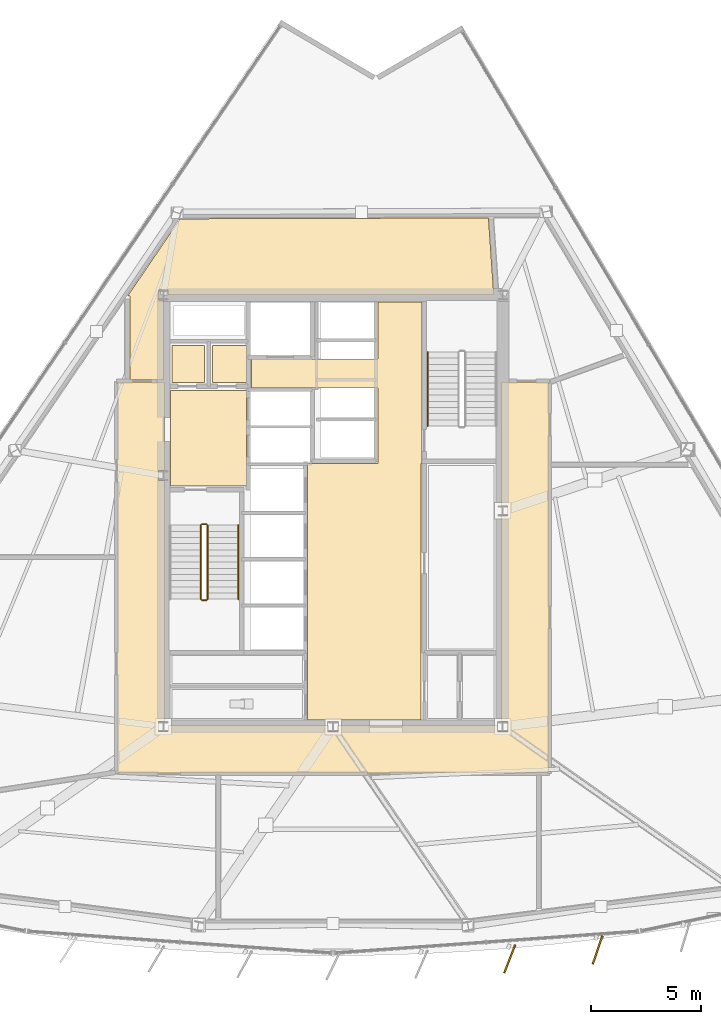
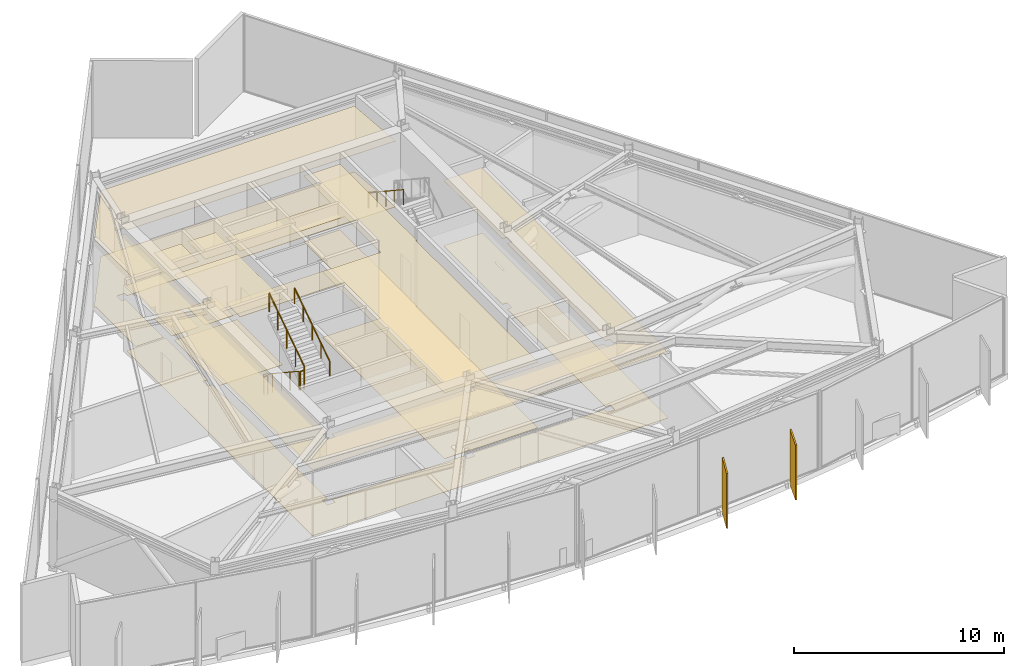
# One storey, part 12 of 14: 12 coverings, 6 railings, 2 shading devices.
"""IFC4 building model written with IfcOpenShell, lengths in metres."""

from ifc_helpers import new_model, si_unit, direction, frame, origin, origin_2d, place, context, subcontext, project, spatial, polyline, rectangle, circle, outline, extrude, material, layer, layer_set, type_object, element, save


model = new_model("IFC4")

# Units and contexts
model_context = context("Model", 3, precision=1e-05, world=origin(), true_north=direction((0.0, 1.0)))
body_context = subcontext(model_context, "Body", "Model", "MODEL_VIEW")
ifc_project = project(units=[si_unit("LENGTHUNIT", "METRE"), si_unit("AREAUNIT", "SQUARE_METRE"), si_unit("VOLUMEUNIT", "CUBIC_METRE"), si_unit("PLANEANGLEUNIT", "RADIAN"), si_unit("MASSUNIT", "GRAM", prefix="KILO")], contexts=[model_context])

# Site, building, storey
site_placement = place(None, origin())
site = spatial("IfcSite", under=ifc_project, at=site_placement, CompositionType="ELEMENT")
building_placement = place(site_placement, origin())
building = spatial("IfcBuilding", under=site, at=building_placement, Name="Savorim Split Tower", CompositionType="ELEMENT")
storey_placement = place(building_placement, frame((0.0, 0.0, 129.300048828125)))
storey = spatial("IfcBuildingStorey", under=building, at=storey_placement, Name="L34", CompositionType="ELEMENT", Elevation=129.300048828125)

# Coverings
ifc_material_1 = material(Name="Mineral Fibre Acoustic Ceiling")
ifc_layer_1 = layer(ifc_material_1, 0.02490234375)
ifc_layer_set_1 = layer_set([ifc_layer_1], Name="COV-CEIL-25")
covering_type_1 = type_object("IfcCoveringType", Name="COV-CEIL-25", PredefinedType="CEILING", material=ifc_layer_set_1)
covering_1_placement = place(storey_placement, frame((0.0, 0.0, 3.820068359375)))
element("IfcCovering", 1, at=covering_1_placement, inside=storey, type_object=covering_type_1, Name="L34 Firefighting Lift Lobby Acoustic Ceiling", PredefinedType="CEILING", context=body_context, shape_type="SweptSolid", body=[
    extrude(outline(polyline([(-7.3798828125, 5.8701171875), (-7.3798828125, 1.530029296875), (-3.929931640625, 1.530029296875), (-3.929931640625, 5.8701171875), (-7.3798828125, 5.8701171875)])), origin(), (0.0, 0.0, 1.0), 0.02490234375),
])
covering_2_placement = place(storey_placement, frame((0.0, 0.0, 3.820068359375)))
element("IfcCovering", 2, at=covering_2_placement, inside=storey, type_object=covering_type_1, Name="L34 Electrical Riser Acoustic Ceiling", PredefinedType="CEILING", context=body_context, shape_type="SweptSolid", body=[
    extrude(outline(polyline([(-7.320068359375, 7.919921875), (-7.320068359375, 6.22998046875), (-5.830078125, 6.22998046875), (-5.830078125, 7.919921875), (-7.320068359375, 7.919921875)])), origin(), (0.0, 0.0, 1.0), 0.02490234375),
])
covering_3_placement = place(storey_placement, frame((0.0, 0.0, 3.820068359375)))
element("IfcCovering", 3, at=covering_3_placement, inside=storey, type_object=covering_type_1, Name="L34 Telecom Riser Acoustic Ceiling", PredefinedType="CEILING", context=body_context, shape_type="SweptSolid", body=[
    extrude(outline(polyline([(-5.469970703125, 7.919921875), (-5.469970703125, 6.22998046875), (-3.929931640625, 6.22998046875), (-3.929931640625, 7.919921875), (-5.469970703125, 7.919921875)])), origin(), (0.0, 0.0, 1.0), 0.02490234375),
])
covering_4_placement = place(storey_placement, frame((0.0, 0.0, 3.820068359375)))
element("IfcCovering", 4, at=covering_4_placement, inside=storey, type_object=covering_type_1, Name="L34 Lift Lobby Acoustic Ceiling", PredefinedType="CEILING", context=body_context, shape_type="SweptSolid", body=[
    extrude(outline(polyline([(2.050048828125, 2.550048828125), (-1.14990234375, 2.550048828125), (-1.14990234375, -9.10009765625), (4.0, -9.10009765625), (4.0, 2.550048828125), (4.050048828125, 2.550048828125), (4.050048828125, 5.97998046875), (4.050048828125, 7.300048828125), (4.050048828125, 9.8798828125), (2.050048828125, 9.8798828125), (2.050048828125, 7.300048828125), (-3.699951171875, 7.300048828125), (-3.699951171875, 5.97998046875), (2.050048828125, 5.97998046875), (2.050048828125, 2.550048828125)])), origin(), (0.0, 0.0, 1.0), 0.02490234375),
])
covering_5_placement = place(storey_placement, frame((0.0, 0.0, 3.820068359375)))
element("IfcCovering", 5, at=covering_5_placement, inside=storey, type_object=covering_type_1, Name="L34 Plant Corridor Acoustic Ceiling", PredefinedType="CEILING", context=body_context, shape_type="SweptSolid", body=[
    extrude(outline(polyline([(7.91455078125, 0.177490234375), (7.64990234375, 0.177490234375), (7.64990234375, -9.177490234375), (7.91455078125, -9.177490234375), (7.91455078125, -9.62255859375), (7.485595703125, -9.62255859375), (7.485595703125, -9.35009765625), (0.214599609375, -9.35009765625), (0.214599609375, -9.62255859375), (-0.214599609375, -9.62255859375), (-0.214599609375, -9.35009765625), (-7.485595703125, -9.35009765625), (-7.485595703125, -9.62255859375), (-7.91455078125, -9.62255859375), (-7.91455078125, -9.177490234375), (-7.64990234375, -9.177490234375), (-7.64990234375, 1.777587890625), (-7.91455078125, 1.777587890625), (-7.91455078125, 2.222412109375), (-7.64990234375, 2.222412109375), (-7.64990234375, 6.199951171875), (-7.650146484375, 6.204833984375), (-7.65087890625, 6.209716796875), (-7.652099609375, 6.214599609375), (-7.65380859375, 6.218994140625), (-7.656005859375, 6.2236328125), (-7.658447265625, 6.227783203125), (-7.661376953125, 6.231689453125), (-7.66455078125, 6.2353515625), (-7.668212890625, 6.23876953125), (-7.672119140625, 6.24169921875), (-7.676513671875, 6.244140625), (-7.680908203125, 6.24609375), (-7.685546875, 6.247802734375), (-7.690185546875, 6.2490234375), (-7.695068359375, 6.249755859375), (-7.699951171875, 6.25), (-9.75, 6.25), (-9.7548828125, 6.249755859375), (-9.759765625, 6.2490234375), (-9.764404296875, 6.247802734375), (-9.76904296875, 6.24609375), (-9.773681640625, 6.244140625), (-9.77783203125, 6.24169921875), (-9.78173828125, 6.23876953125), (-9.785400390625, 6.2353515625), (-9.788818359375, 6.231689453125), (-9.79150390625, 6.227783203125), (-9.794189453125, 6.2236328125), (-9.796142578125, 6.218994140625), (-9.7978515625, 6.214599609375), (-9.799072265625, 6.209716796875), (-9.7998046875, 6.204833984375), (-9.800048828125, 6.199951171875), (-9.800048828125, -11.449951171875), (-9.7998046875, -11.454833984375), (-9.799072265625, -11.459716796875), (-9.7978515625, -11.464599609375), (-9.796142578125, -11.468994140625), (-9.794189453125, -11.4736328125), (-9.79150390625, -11.477783203125), (-9.788818359375, -11.481689453125), (-9.785400390625, -11.4853515625), (-9.78173828125, -11.48876953125), (-9.77783203125, -11.49169921875), (-9.773681640625, -11.494140625), (-9.76904296875, -11.49609375), (-9.764404296875, -11.497802734375), (-9.759765625, -11.4990234375), (-9.7548828125, -11.499755859375), (-9.75, -11.5), (9.75, -11.5), (9.7548828125, -11.499755859375), (9.759765625, -11.4990234375), (9.764404296875, -11.497802734375), (9.76904296875, -11.49609375), (9.773681640625, -11.494140625), (9.77783203125, -11.49169921875), (9.78173828125, -11.48876953125), (9.785400390625, -11.4853515625), (9.788818359375, -11.481689453125), (9.79150390625, -11.477783203125), (9.794189453125, -11.4736328125), (9.796142578125, -11.468994140625), (9.7978515625, -11.464599609375), (9.799072265625, -11.459716796875), (9.7998046875, -11.454833984375), (9.800048828125, -11.449951171875), (9.800048828125, 6.199951171875), (9.7998046875, 6.204833984375), (9.799072265625, 6.209716796875), (9.7978515625, 6.214599609375), (9.796142578125, 6.218994140625), (9.794189453125, 6.2236328125), (9.79150390625, 6.227783203125), (9.788818359375, 6.231689453125), (9.785400390625, 6.2353515625), (9.78173828125, 6.23876953125), (9.77783203125, 6.24169921875), (9.773681640625, 6.244140625), (9.76904296875, 6.24609375), (9.764404296875, 6.247802734375), (9.759765625, 6.2490234375), (9.7548828125, 6.249755859375), (9.75, 6.25), (7.699951171875, 6.25), (7.695068359375, 6.249755859375), (7.690185546875, 6.2490234375), (7.685546875, 6.247802734375), (7.680908203125, 6.24609375), (7.676513671875, 6.244140625), (7.672119140625, 6.24169921875), (7.668212890625, 6.23876953125), (7.66455078125, 6.2353515625), (7.661376953125, 6.231689453125), (7.658447265625, 6.227783203125), (7.656005859375, 6.2236328125), (7.65380859375, 6.218994140625), (7.652099609375, 6.214599609375), (7.65087890625, 6.209716796875), (7.650146484375, 6.204833984375), (7.64990234375, 6.199951171875), (7.64990234375, 0.62255859375), (7.91455078125, 0.62255859375), (7.91455078125, 0.177490234375)])), origin(), (0.0, 0.0, 1.0), 0.02490234375),
])
covering_6_placement = place(storey_placement, frame((0.0, 0.0, 3.820068359375)))
element("IfcCovering", 6, at=covering_6_placement, inside=storey, type_object=covering_type_1, Name="L34 Chiller Plant Room 1 Acoustic Ceiling", PredefinedType="CEILING", context=body_context, shape_type="SweptSolid", body=[
    extrude(outline(polyline([(7.061279296875, 13.643798828125), (7.05712890625, 13.701904296875), (-6.94091796875, 13.6611328125), (-9.330078125, 10.148681640625), (-9.231201171875, 10.148681640625), (-9.231201171875, 6.340087890625), (-7.699951171875, 6.340087890625), (-7.699951171875, 9.9775390625), (-7.91455078125, 9.9775390625), (-7.91455078125, 10.422607421875), (-7.485595703125, 10.422607421875), (-7.485595703125, 10.199951171875), (7.29931640625, 10.199951171875), (7.061279296875, 13.643798828125)])), origin(), (0.0, 0.0, 1.0), 0.02490234375),
])
ifc_material_2 = material(Name="Porcelain Stoneware Flooring", Category="masonry")
ifc_layer_2 = layer(ifc_material_2, 0.02001953125)
ifc_layer_set_2 = layer_set([ifc_layer_2], Name="COV-FLOR-20")
covering_type_2 = type_object("IfcCoveringType", Name="COV-FLOR-20", PredefinedType="FLOORING", material=ifc_layer_set_2)
covering_7_placement = place(storey_placement, origin())
element("IfcCovering", 7, at=covering_7_placement, inside=storey, type_object=covering_type_2, Name="L34 Firefighting Lift Lobby Porcelain Flooring", PredefinedType="FLOORING", context=body_context, shape_type="SweptSolid", body=[
    extrude(outline(polyline([(-7.3798828125, 5.8701171875), (-7.3798828125, 1.530029296875), (-3.929931640625, 1.530029296875), (-3.929931640625, 5.8701171875), (-7.3798828125, 5.8701171875)])), origin(), (0.0, 0.0, 1.0), 0.02001953125),
])
covering_8_placement = place(storey_placement, origin())
element("IfcCovering", 8, at=covering_8_placement, inside=storey, type_object=covering_type_2, Name="L34 Electrical Riser Porcelain Flooring", PredefinedType="FLOORING", context=body_context, shape_type="SweptSolid", body=[
    extrude(outline(polyline([(-7.320068359375, 7.919921875), (-7.320068359375, 6.22998046875), (-5.830078125, 6.22998046875), (-5.830078125, 7.919921875), (-7.320068359375, 7.919921875)])), origin(), (0.0, 0.0, 1.0), 0.02001953125),
])
covering_9_placement = place(storey_placement, origin())
element("IfcCovering", 9, at=covering_9_placement, inside=storey, type_object=covering_type_2, Name="L34 Telecom Riser Porcelain Flooring", PredefinedType="FLOORING", context=body_context, shape_type="SweptSolid", body=[
    extrude(outline(polyline([(-5.469970703125, 7.919921875), (-5.469970703125, 6.22998046875), (-3.929931640625, 6.22998046875), (-3.929931640625, 7.919921875), (-5.469970703125, 7.919921875)])), origin(), (0.0, 0.0, 1.0), 0.02001953125),
])
covering_10_placement = place(storey_placement, origin())
element("IfcCovering", 10, at=covering_10_placement, inside=storey, type_object=covering_type_2, Name="L34 Lift Lobby Porcelain Flooring", PredefinedType="FLOORING", context=body_context, shape_type="SweptSolid", body=[
    extrude(outline(polyline([(2.050048828125, 2.550048828125), (-1.14990234375, 2.550048828125), (-1.14990234375, -9.10009765625), (4.0, -9.10009765625), (4.0, 2.550048828125), (4.050048828125, 2.550048828125), (4.050048828125, 5.97998046875), (4.050048828125, 7.300048828125), (4.050048828125, 9.8798828125), (2.050048828125, 9.8798828125), (2.050048828125, 7.300048828125), (-3.699951171875, 7.300048828125), (-3.699951171875, 5.97998046875), (2.050048828125, 5.97998046875), (2.050048828125, 2.550048828125)])), origin(), (0.0, 0.0, 1.0), 0.02001953125),
])
covering_11_placement = place(storey_placement, origin())
element("IfcCovering", 11, at=covering_11_placement, inside=storey, type_object=covering_type_2, Name="L34 Plant Corridor Porcelain Flooring", PredefinedType="FLOORING", context=body_context, shape_type="SweptSolid", body=[
    extrude(outline(polyline([(7.91455078125, 0.177490234375), (7.64990234375, 0.177490234375), (7.64990234375, -9.177490234375), (7.91455078125, -9.177490234375), (7.91455078125, -9.62255859375), (7.485595703125, -9.62255859375), (7.485595703125, -9.35009765625), (0.214599609375, -9.35009765625), (0.214599609375, -9.62255859375), (-0.214599609375, -9.62255859375), (-0.214599609375, -9.35009765625), (-7.485595703125, -9.35009765625), (-7.485595703125, -9.62255859375), (-7.91455078125, -9.62255859375), (-7.91455078125, -9.177490234375), (-7.64990234375, -9.177490234375), (-7.64990234375, 1.777587890625), (-7.91455078125, 1.777587890625), (-7.91455078125, 2.222412109375), (-7.64990234375, 2.222412109375), (-7.64990234375, 6.199951171875), (-7.650146484375, 6.204833984375), (-7.65087890625, 6.209716796875), (-7.652099609375, 6.214599609375), (-7.65380859375, 6.218994140625), (-7.656005859375, 6.2236328125), (-7.658447265625, 6.227783203125), (-7.661376953125, 6.231689453125), (-7.66455078125, 6.2353515625), (-7.668212890625, 6.23876953125), (-7.672119140625, 6.24169921875), (-7.676513671875, 6.244140625), (-7.680908203125, 6.24609375), (-7.685546875, 6.247802734375), (-7.690185546875, 6.2490234375), (-7.695068359375, 6.249755859375), (-7.699951171875, 6.25), (-9.75, 6.25), (-9.7548828125, 6.249755859375), (-9.759765625, 6.2490234375), (-9.764404296875, 6.247802734375), (-9.76904296875, 6.24609375), (-9.773681640625, 6.244140625), (-9.77783203125, 6.24169921875), (-9.78173828125, 6.23876953125), (-9.785400390625, 6.2353515625), (-9.788818359375, 6.231689453125), (-9.79150390625, 6.227783203125), (-9.794189453125, 6.2236328125), (-9.796142578125, 6.218994140625), (-9.7978515625, 6.214599609375), (-9.799072265625, 6.209716796875), (-9.7998046875, 6.204833984375), (-9.800048828125, 6.199951171875), (-9.800048828125, -11.449951171875), (-9.7998046875, -11.454833984375), (-9.799072265625, -11.459716796875), (-9.7978515625, -11.464599609375), (-9.796142578125, -11.468994140625), (-9.794189453125, -11.4736328125), (-9.79150390625, -11.477783203125), (-9.788818359375, -11.481689453125), (-9.785400390625, -11.4853515625), (-9.78173828125, -11.48876953125), (-9.77783203125, -11.49169921875), (-9.773681640625, -11.494140625), (-9.76904296875, -11.49609375), (-9.764404296875, -11.497802734375), (-9.759765625, -11.4990234375), (-9.7548828125, -11.499755859375), (-9.75, -11.5), (9.75, -11.5), (9.7548828125, -11.499755859375), (9.759765625, -11.4990234375), (9.764404296875, -11.497802734375), (9.76904296875, -11.49609375), (9.773681640625, -11.494140625), (9.77783203125, -11.49169921875), (9.78173828125, -11.48876953125), (9.785400390625, -11.4853515625), (9.788818359375, -11.481689453125), (9.79150390625, -11.477783203125), (9.794189453125, -11.4736328125), (9.796142578125, -11.468994140625), (9.7978515625, -11.464599609375), (9.799072265625, -11.459716796875), (9.7998046875, -11.454833984375), (9.800048828125, -11.449951171875), (9.800048828125, 6.199951171875), (9.7998046875, 6.204833984375), (9.799072265625, 6.209716796875), (9.7978515625, 6.214599609375), (9.796142578125, 6.218994140625), (9.794189453125, 6.2236328125), (9.79150390625, 6.227783203125), (9.788818359375, 6.231689453125), (9.785400390625, 6.2353515625), (9.78173828125, 6.23876953125), (9.77783203125, 6.24169921875), (9.773681640625, 6.244140625), (9.76904296875, 6.24609375), (9.764404296875, 6.247802734375), (9.759765625, 6.2490234375), (9.7548828125, 6.249755859375), (9.75, 6.25), (7.699951171875, 6.25), (7.695068359375, 6.249755859375), (7.690185546875, 6.2490234375), (7.685546875, 6.247802734375), (7.680908203125, 6.24609375), (7.676513671875, 6.244140625), (7.672119140625, 6.24169921875), (7.668212890625, 6.23876953125), (7.66455078125, 6.2353515625), (7.661376953125, 6.231689453125), (7.658447265625, 6.227783203125), (7.656005859375, 6.2236328125), (7.65380859375, 6.218994140625), (7.652099609375, 6.214599609375), (7.65087890625, 6.209716796875), (7.650146484375, 6.204833984375), (7.64990234375, 6.199951171875), (7.64990234375, 0.62255859375), (7.91455078125, 0.62255859375), (7.91455078125, 0.177490234375)])), origin(), (0.0, 0.0, 1.0), 0.02001953125),
])
covering_12_placement = place(storey_placement, origin())
element("IfcCovering", 12, at=covering_12_placement, inside=storey, type_object=covering_type_2, Name="L34 Chiller Plant Room 1 Porcelain Flooring", PredefinedType="FLOORING", context=body_context, shape_type="SweptSolid", body=[
    extrude(outline(polyline([(7.061279296875, 13.643798828125), (7.05712890625, 13.701904296875), (-6.94091796875, 13.6611328125), (-9.330078125, 10.148681640625), (-9.231201171875, 10.148681640625), (-9.231201171875, 6.340087890625), (-7.699951171875, 6.340087890625), (-7.699951171875, 9.9775390625), (-7.91455078125, 9.9775390625), (-7.91455078125, 10.422607421875), (-7.485595703125, 10.422607421875), (-7.485595703125, 10.199951171875), (7.29931640625, 10.199951171875), (7.061279296875, 13.643798828125)])), origin(), (0.0, 0.0, 1.0), 0.02001953125),
])

# Railings
ifc_material_3 = material(Name="Galvanised Painted Steel Balustrade", Category="steel")
railing_type_1 = type_object("IfcRailingType", Name="RLG-HR-900", PredefinedType="HANDRAIL", material=ifc_material_3)
railing_1_placement = place(storey_placement, frame((-4.300048828125, -3.610107421875, 2.58447265625)))
element("IfcRailing", 13, at=railing_1_placement, inside=storey, type_object=railing_type_1, Name="L34 ST-1 stair handrail 2", PredefinedType="HANDRAIL", context=body_context, shape_type="SweptSolid", body=[
    extrude(circle(Radius=0.02392578125, at=origin_2d()), frame((0.0, 0.0, 0.8759765625), z_axis=(0.0, 0.834848600103, 0.550479622607), x_axis=(-1.0, 0.0, 0.0)), (0.0, 0.0, 1.0), 4.02490234375),
    extrude(circle(Radius=0.02099609375, at=origin_2d()), origin(), (0.0, 0.0, 1.0), 0.851806640625),
    extrude(circle(Radius=0.02099609375, at=origin_2d()), frame((0.0, 0.840087890625, 0.553955078125)), (0.0, 0.0, 1.0), 0.851806640625),
    extrude(circle(Radius=0.02099609375, at=origin_2d()), frame((0.0, 1.68017578125, 1.10791015625)), (0.0, 0.0, 1.0), 0.851806640625),
    extrude(circle(Radius=0.02099609375, at=origin_2d()), frame((0.0, 2.52001953125, 1.66162109375)), (0.0, 0.0, 1.0), 0.851806640625),
    extrude(circle(Radius=0.02099609375, at=origin_2d()), frame((0.0, 3.360107421875, 2.215576171875)), (0.0, 0.0, 1.0), 0.851806640625),
])
railing_2_placement = place(storey_placement, frame((4.300048828125, 7.610107421875, 2.58447265625)))
element("IfcRailing", 14, at=railing_2_placement, inside=storey, type_object=railing_type_1, Name="L34 ST-2 stair handrail 2", PredefinedType="HANDRAIL", context=body_context, shape_type="SweptSolid", body=[
    extrude(circle(Radius=0.02392578125, at=origin_2d()), frame((0.0, 0.0, 0.8759765625), z_axis=(0.0, -0.834848600103, 0.550479622607), x_axis=(1.0, 0.0, 0.0)), (0.0, 0.0, 1.0), 4.02490234375),
    extrude(circle(Radius=0.02099609375, at=origin_2d()), origin(), (0.0, 0.0, 1.0), 0.851806640625),
    extrude(circle(Radius=0.02099609375, at=origin_2d()), frame((0.0, -0.840087890625, 0.553955078125)), (0.0, 0.0, 1.0), 0.851806640625),
    extrude(circle(Radius=0.02099609375, at=origin_2d()), frame((0.0, -1.68017578125, 1.10791015625)), (0.0, 0.0, 1.0), 0.851806640625),
    extrude(circle(Radius=0.02099609375, at=origin_2d()), frame((0.0, -2.52001953125, 1.66162109375)), (0.0, 0.0, 1.0), 0.851806640625),
    extrude(circle(Radius=0.02099609375, at=origin_2d()), frame((0.0, -3.360107421875, 2.215576171875)), (0.0, 0.0, 1.0), 0.851806640625),
])
railing_type_2 = type_object("IfcRailingType", Name="RLG-STG-1100", PredefinedType="BALUSTRADE", material=ifc_material_3)
railing_3_placement = place(storey_placement, frame((-6.0, -0.25, 0.1845703125)))
element("IfcRailing", 15, at=railing_3_placement, inside=storey, type_object=railing_type_2, Name="L34 ST-1 stair guard 1", PredefinedType="BALUSTRADE", context=body_context, shape_type="SweptSolid", body=[
    extrude(circle(Radius=0.02392578125, at=origin_2d()), frame((0.0, 0.0, 1.076171875), z_axis=(0.0, -0.834876476806, 0.550437342915), x_axis=(1.0, 0.0, 0.0)), (0.0, 0.0, 1.0), 4.024658203125),
    extrude(circle(Radius=0.02099609375, at=origin_2d()), origin(), (0.0, 0.0, 1.0), 1.052001953125),
    extrude(circle(Radius=0.02099609375, at=origin_2d()), frame((0.0, -0.840087890625, 0.5537109375)), (0.0, 0.0, 1.0), 1.052001953125),
    extrude(circle(Radius=0.02099609375, at=origin_2d()), frame((0.0, -1.68017578125, 1.107666015625)), (0.0, 0.0, 1.0), 1.052001953125),
    extrude(circle(Radius=0.02099609375, at=origin_2d()), frame((0.0, -2.52001953125, 1.66162109375)), (0.0, 0.0, 1.0), 1.052001953125),
    extrude(circle(Radius=0.02099609375, at=origin_2d()), frame((0.0, -3.360107421875, 2.21533203125)), (0.0, 0.0, 1.0), 1.052001953125),
])
railing_4_placement = place(storey_placement, frame((-5.949951171875, -3.659912109375, 2.39990234375)))
element("IfcRailing", 16, at=railing_4_placement, inside=storey, type_object=railing_type_2, Name="L34 ST-1 stair guard 2", PredefinedType="BALUSTRADE", context=body_context, shape_type="SweptSolid", body=[
    extrude(circle(Radius=0.02392578125, at=origin_2d()), frame((0.0, 0.0, 1.076171875), z_axis=(1.0, 0.0, 0.0), x_axis=(0.0, 1.0, 0.0)), (0.0, 0.0, 1.0), 0.199951171875),
    extrude(circle(Radius=0.02099609375, at=origin_2d()), origin(), (0.0, 0.0, 1.0), 1.052001953125),
    extrude(circle(Radius=0.02099609375, at=origin_2d()), frame((0.199951171875, 0.0, 0.0)), (0.0, 0.0, 1.0), 1.052001953125),
])
railing_5_placement = place(storey_placement, frame((-5.699951171875, -3.610107421875, 2.58447265625)))
element("IfcRailing", 17, at=railing_5_placement, inside=storey, type_object=railing_type_2, Name="L34 ST-1 stair guard 3", PredefinedType="BALUSTRADE", context=body_context, shape_type="SweptSolid", body=[
    extrude(circle(Radius=0.02392578125, at=origin_2d()), frame((0.0, 0.0, 1.076171875), z_axis=(0.0, 0.834848600103, 0.550479622607), x_axis=(-1.0, 0.0, 0.0)), (0.0, 0.0, 1.0), 4.02490234375),
    extrude(circle(Radius=0.02099609375, at=origin_2d()), origin(), (0.0, 0.0, 1.0), 1.052001953125),
    extrude(circle(Radius=0.02099609375, at=origin_2d()), frame((0.0, 0.840087890625, 0.553955078125)), (0.0, 0.0, 1.0), 1.052001953125),
    extrude(circle(Radius=0.02099609375, at=origin_2d()), frame((0.0, 1.68017578125, 1.10791015625)), (0.0, 0.0, 1.0), 1.052001953125),
    extrude(circle(Radius=0.02099609375, at=origin_2d()), frame((0.0, 2.52001953125, 1.66162109375)), (0.0, 0.0, 1.0), 1.052001953125),
    extrude(circle(Radius=0.02099609375, at=origin_2d()), frame((0.0, 3.360107421875, 2.215576171875)), (0.0, 0.0, 1.0), 1.052001953125),
])
railing_6_placement = place(storey_placement, frame((-5.949951171875, -0.199951171875, 0.0)))
element("IfcRailing", 18, at=railing_6_placement, inside=storey, type_object=railing_type_2, Name="L34 ST-1 stair guard 4", PredefinedType="BALUSTRADE", context=body_context, shape_type="SweptSolid", body=[
    extrude(circle(Radius=0.02392578125, at=origin_2d()), frame((0.0, 0.0, 1.076171875), z_axis=(1.0, 0.0, 0.0), x_axis=(0.0, 1.0, 0.0)), (0.0, 0.0, 1.0), 0.199951171875),
    extrude(circle(Radius=0.02099609375, at=origin_2d()), origin(), (0.0, 0.0, 1.0), 1.052001953125),
    extrude(circle(Radius=0.02099609375, at=origin_2d()), frame((0.199951171875, 0.0, 0.0)), (0.0, 0.0, 1.0), 1.052001953125),
])

# Shading devices
ifc_material_4 = material(Name="Terracotta Ceramic-Coated Aluminium Fin", Category="masonry")
shading_device_type = type_object("IfcShadingDeviceType", Name="SHD-FIN-1360", PredefinedType="USERDEFINED", material=ifc_material_4)
for number, where, z_axis, x_axis, name in (
    (19, (8.0234375, -19.948974609375, -0.2001953125), (0.0, 0.0, 1.0), (-0.363415461732, -0.931627179817, 0.0), "L34 Sawtooth Shading Fin 09"),
    (20, (12.0185546875, -19.538818359375, -0.2001953125), (0.0, 0.0, 1.0), (-0.324993810493, -0.945716143005, 0.0), "L34 Sawtooth Shading Fin 10"),
):
    element("IfcShadingDevice", number, at=place(storey_placement, frame(where, z_axis=z_axis, x_axis=x_axis)), inside=storey, type_object=shading_device_type, Name=name, ObjectType="FIN", PredefinedType="USERDEFINED", context=body_context, shape_type="SweptSolid", body=[
        extrude(rectangle(XDim=1.360107421875, YDim=0.080078125, at=origin_2d()), origin(), (0.0, 0.0, 1.0), 3.199951171875),
    ])

save(model, "model.ifc")
